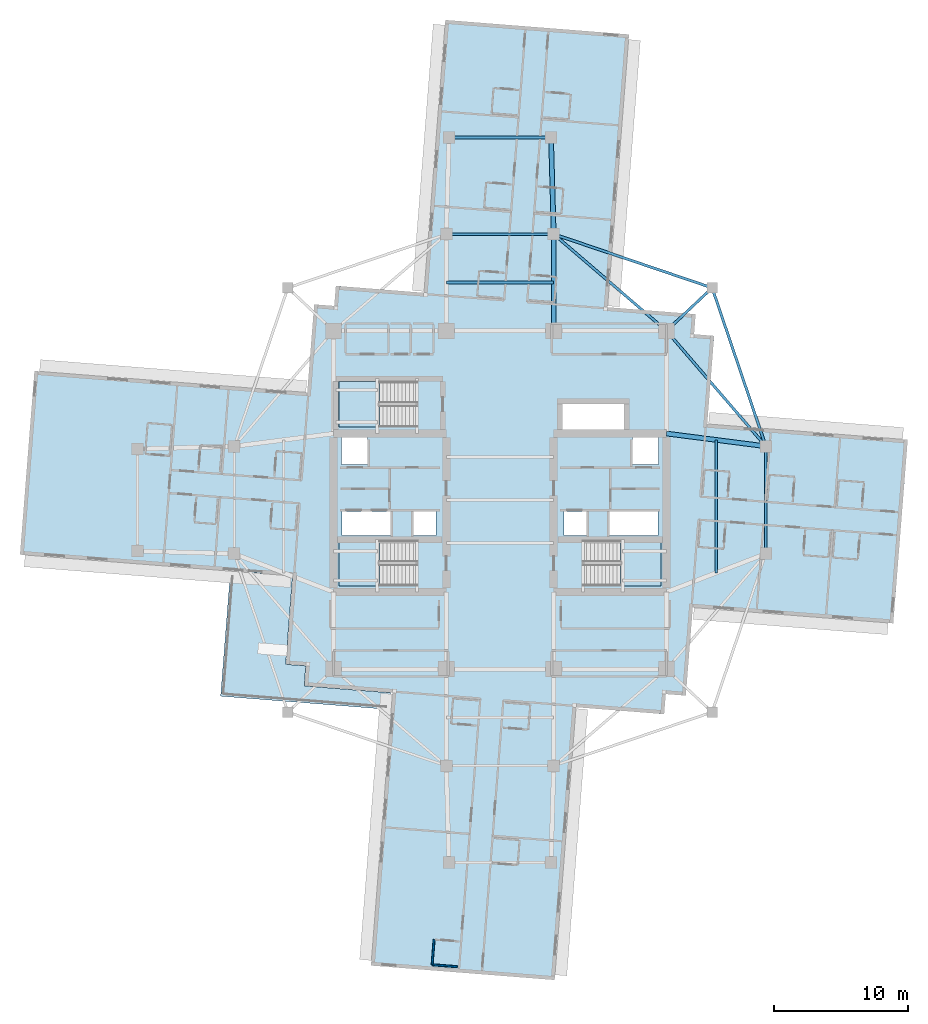
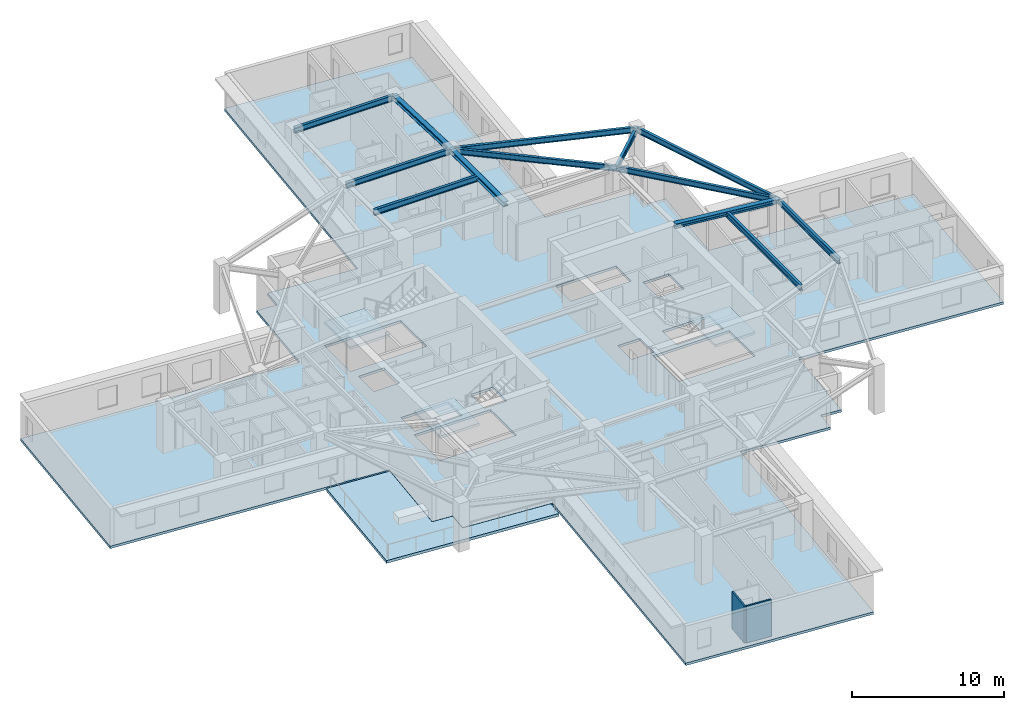
# One storey, part 2 of 14: 13 beams, 5 slabs, 2 walls, 3 elements without a shape of their own.
"""IFC4 building model written with IfcOpenShell, lengths in metres."""

from ifc_helpers import new_model, si_unit, direction, frame, frame_2d, origin, origin_2d, place, context, subcontext, project, spatial, polyline, rectangle, i_section, outline, extrude, material, layer, layer_set, material_profile, profile_set, type_object, element, aggregate, save


model = new_model("IFC4")

# Units and contexts
model_context = context("Model", 3, precision=1e-05, world=origin(), true_north=direction((0.0, 1.0)))
body_context = subcontext(model_context, "Body", "Model", "MODEL_VIEW")
ifc_project = project(units=[si_unit("LENGTHUNIT", "METRE"), si_unit("AREAUNIT", "SQUARE_METRE"), si_unit("VOLUMEUNIT", "CUBIC_METRE"), si_unit("PLANEANGLEUNIT", "RADIAN"), si_unit("MASSUNIT", "GRAM", prefix="KILO")], contexts=[model_context])

# Site, building, storey
site_placement = place(None, origin())
site = spatial("IfcSite", under=ifc_project, at=site_placement, CompositionType="ELEMENT")
building_placement = place(site_placement, origin())
building = spatial("IfcBuilding", under=site, at=building_placement, Name="Qingluan Cross Belvedere", CompositionType="ELEMENT")
storey_placement = place(building_placement, frame((0.0, 0.0, 164.39990234375)))
storey = spatial("IfcBuildingStorey", under=building, at=storey_placement, Name="L41", CompositionType="ELEMENT", Elevation=164.39990234375)

# Beams
ifc_material_1 = material(Name="Steel Q420GJB", Category="steel")
ifc_material_profile_1 = material_profile(ifc_material_1, i_section(OverallWidth=0.199951171875, OverallDepth=0.449951171875, WebThickness=0.009033203125, FlangeThickness=0.013916015625, FilletRadius=0.01611328125, at=origin_2d()), Name="HN450x200x9x14")
ifc_profile_set_1 = profile_set([ifc_material_profile_1], Name="Steel Q420GJB")
beam_type_1 = type_object("IfcBeamType", Name="Steel_Beam_HN450x200x9x14", PredefinedType="JOIST", material=ifc_profile_set_1)
beam_1_placement = place(storey_placement, frame((12.39990234375, 12.60009765625, 3.47509765625), z_axis=(0.728219948308, 0.685343495546, 0.0), x_axis=(-0.685343495546, 0.728219948308, 0.0)))
element("IfcBeam", 1, at=beam_1_placement, inside=storey, type_object=beam_type_1, Name="Corner beam 1 L41-RNE", PredefinedType="JOIST", context=body_context, shape_type="SweptSolid", body=[
    extrude(i_section(OverallWidth=0.199951171875, OverallDepth=0.449951171875, WebThickness=0.009033203125, FlangeThickness=0.013916015625, FilletRadius=0.01611328125, at=origin_2d()), origin(), (0.0, 0.0, 1.0), 4.669189453125),
])
for number, where, z_axis, x_axis, name in (
    (2, (15.800048828125, 15.800048828125, 3.47509765625), (-0.947066283324, 0.321038089628, 0.0), (-0.321038089628, -0.947066283324, 0.0), "Corner beam 2 L41-RNE"),
    (3, (15.800048828125, 15.800048828125, 3.47509765625), (0.321038089628, -0.947066283324, 0.0), (0.947066283324, 0.321038089628, 0.0), "Corner beam 3 L41-RNE"),
):
    element("IfcBeam", number, at=place(storey_placement, frame(where, z_axis=z_axis, x_axis=x_axis)), inside=storey, type_object=beam_type_1, Name=name, PredefinedType="JOIST", context=body_context, shape_type="SweptSolid", body=[
        extrude(i_section(OverallWidth=0.199951171875, OverallDepth=0.449951171875, WebThickness=0.009033203125, FlangeThickness=0.013916015625, FilletRadius=0.01611328125, at=origin_2d()), origin(), (0.0, 0.0, 1.0), 12.45947265625),
    ])
beam_2_placement = place(storey_placement, frame((12.39990234375, 12.60009765625, 3.47509765625), z_axis=(0.652245077546, -0.75800815221, 0.0), x_axis=(0.75800815221, 0.652245077546, 0.0)))
element("IfcBeam", 4, at=beam_2_placement, inside=storey, type_object=beam_type_1, Name="Corner beam 4 L41-RNE", PredefinedType="JOIST", context=body_context, shape_type="SweptSolid", body=[
    extrude(i_section(OverallWidth=0.199951171875, OverallDepth=0.449951171875, WebThickness=0.009033203125, FlangeThickness=0.013916015625, FilletRadius=0.01611328125, at=origin_2d()), origin(), (0.0, 0.0, 1.0), 11.345703125),
])
beam_3_placement = place(storey_placement, frame((12.39990234375, 12.60009765625, 3.47509765625), z_axis=(-0.759255044656, 0.650793190779, 0.0), x_axis=(-0.650793190779, -0.759255044656, 0.0)))
element("IfcBeam", 5, at=beam_3_placement, inside=storey, type_object=beam_type_1, Name="Corner beam 5 L41-RNE", PredefinedType="JOIST", context=body_context, shape_type="SweptSolid", body=[
    extrude(i_section(OverallWidth=0.199951171875, OverallDepth=0.449951171875, WebThickness=0.009033203125, FlangeThickness=0.013916015625, FilletRadius=0.01611328125, at=origin_2d()), origin(), (0.0, 0.0, 1.0), 11.063232421875),
])
beam_4_placement = place(storey_placement, frame((19.800048828125, -4.0, 3.47509765625), z_axis=(0.0, 1.0, 0.0), x_axis=(-1.0, 0.0, 0.0)))
element("IfcBeam", 6, at=beam_4_placement, inside=storey, type_object=beam_type_1, Name="Arm E tie L41", PredefinedType="JOIST", context=body_context, shape_type="SweptSolid", body=[
    extrude(i_section(OverallWidth=0.199951171875, OverallDepth=0.449951171875, WebThickness=0.009033203125, FlangeThickness=0.013916015625, FilletRadius=0.01611328125, at=origin_2d()), origin(), (0.0, 0.0, 1.0), 8.0),
])
beam_5_placement = place(storey_placement, frame((16.10009765625, -5.425048828125, 3.47509765625), z_axis=(0.0, 1.0, 0.0), x_axis=(-1.0, 0.0, 0.0)))
element("IfcBeam", 7, at=beam_5_placement, inside=storey, type_object=beam_type_1, Name="Arm E beam L41", PredefinedType="JOIST", context=body_context, shape_type="SweptSolid", body=[
    extrude(i_section(OverallWidth=0.199951171875, OverallDepth=0.449951171875, WebThickness=0.009033203125, FlangeThickness=0.013916015625, FilletRadius=0.01611328125, at=origin_2d()), origin(), (0.0, 0.0, 1.0), 9.900146484375),
])
for number, where, z_axis, x_axis, name in (
    (8, (-4.0, 19.800048828125, 3.47509765625), (1.0, 0.0, 0.0), (0.0, 1.0, 0.0), "Arm N tie L41"),
    (9, (-4.0, 16.199951171875, 3.47509765625), (1.0, 0.0, 0.0), (0.0, 1.0, 0.0), "Arm N beam L41"),
):
    element("IfcBeam", number, at=place(storey_placement, frame(where, z_axis=z_axis, x_axis=x_axis)), inside=storey, type_object=beam_type_1, Name=name, PredefinedType="JOIST", context=body_context, shape_type="SweptSolid", body=[
        extrude(i_section(OverallWidth=0.199951171875, OverallDepth=0.449951171875, WebThickness=0.009033203125, FlangeThickness=0.013916015625, FilletRadius=0.01611328125, at=origin_2d()), origin(), (0.0, 0.0, 1.0), 8.0),
    ])
beam_6_placement = place(storey_placement, frame((-3.800048828125, 27.0, 3.47509765625), z_axis=(1.0, 0.0, 0.0), x_axis=(0.0, 1.0, 0.0)))
element("IfcBeam", 10, at=beam_6_placement, inside=storey, type_object=beam_type_1, Name="Arm N tip transverse beam L41", PredefinedType="JOIST", context=body_context, shape_type="SweptSolid", body=[
    extrude(i_section(OverallWidth=0.199951171875, OverallDepth=0.449951171875, WebThickness=0.009033203125, FlangeThickness=0.013916015625, FilletRadius=0.01611328125, at=origin_2d()), origin(), (0.0, 0.0, 1.0), 7.60009765625),
])
ifc_material_2 = material(Name="Steel Q420GJB", Category="steel")
ifc_material_profile_2 = material_profile(ifc_material_2, i_section(OverallWidth=0.35009765625, OverallDepth=0.35009765625, WebThickness=0.011962890625, FlangeThickness=0.01904296875, FilletRadius=0.02001953125, at=origin_2d()), Name="HW350x350x12x19")
ifc_profile_set_2 = profile_set([ifc_material_profile_2], Name="Steel Q420GJB")
beam_type_2 = type_object("IfcBeamType", Name="Steel_Girder_HW350x350x12x19", PredefinedType="USERDEFINED", material=ifc_profile_set_2)
beam_7_placement = place(storey_placement, frame((12.39990234375, 4.949951171875, 3.525146484375), z_axis=(0.991861120628, -0.12732445714, 0.0), x_axis=(0.12732445714, 0.991861120628, 0.0)))
element("IfcBeam", 11, at=beam_7_placement, inside=storey, type_object=beam_type_2, Name="Arm E radial girder B L41", ObjectType="GIRDER", PredefinedType="USERDEFINED", context=body_context, shape_type="SweptSolid", body=[
    extrude(i_section(OverallWidth=0.35009765625, OverallDepth=0.35009765625, WebThickness=0.011962890625, FlangeThickness=0.01904296875, FilletRadius=0.02001953125, at=origin_2d()), origin(), (0.0, 0.0, 1.0), 7.4609375),
])
beam_8_placement = place(storey_placement, frame((4.0, 12.60009765625, 3.525146484375), z_axis=(0.0, 1.0, 0.0), x_axis=(-1.0, 0.0, 0.0)))
element("IfcBeam", 12, at=beam_8_placement, inside=storey, type_object=beam_type_2, Name="Arm N radial girder B L41", ObjectType="GIRDER", PredefinedType="USERDEFINED", context=body_context, shape_type="SweptSolid", body=[
    extrude(i_section(OverallWidth=0.35009765625, OverallDepth=0.35009765625, WebThickness=0.011962890625, FlangeThickness=0.01904296875, FilletRadius=0.02001953125, at=origin_2d()), origin(), (0.0, 0.0, 1.0), 7.199951171875),
])
beam_9_placement = place(storey_placement, frame((4.0, 19.800048828125, 3.525146484375), z_axis=(-0.027760481514, 0.999614603568, 0.0), x_axis=(-0.999614603568, -0.027760481514, 0.0)))
element("IfcBeam", 13, at=beam_9_placement, inside=storey, type_object=beam_type_2, Name="Arm N outer radial girder B L41", ObjectType="GIRDER", PredefinedType="USERDEFINED", context=body_context, shape_type="SweptSolid", body=[
    extrude(i_section(OverallWidth=0.35009765625, OverallDepth=0.35009765625, WebThickness=0.011962890625, FlangeThickness=0.01904296875, FilletRadius=0.02001953125, at=origin_2d()), origin(), (0.0, 0.0, 1.0), 7.20263671875),
])

# Slab
ifc_material_3 = material(Name="Concrete C40", Category="concrete")
ifc_layer_1 = layer(ifc_material_3, 0.199951171875, Name="FloorSlab_200")
ifc_layer_set_1 = layer_set([ifc_layer_1], Name="Concrete C40")
slab_type_1 = type_object("IfcSlabType", Name="FloorSlab_200", PredefinedType="FLOOR", material=ifc_layer_set_1)
slab_1_placement = place(storey_placement, frame((0.0, 0.0, -0.199951171875)))
element("IfcSlab", 14, at=slab_1_placement, inside=storey, type_object=slab_type_1, Name="Structural floor slab L41", PredefinedType="FLOOR", context=body_context, shape_type="SweptSolid", body=[
    extrude(outline(polyline([(4.067626953125, -35.749267578125), (5.666748046875, -15.43212890625), (12.226318359375, -15.948486328125), (12.343994140625, -14.453125), (13.839599609375, -14.57080078125), (14.355712890625, -8.010986328125), (29.28955078125, -9.186279296875), (30.365966796875, 4.491455078125), (15.43212890625, 5.666748046875), (15.948486328125, 12.226318359375), (14.453125, 12.343994140625), (14.57080078125, 13.839599609375), (8.010986328125, 14.355712890625), (9.610107421875, 34.6728515625), (-4.067626953125, 35.749267578125), (-5.666748046875, 15.43212890625), (-12.226318359375, 15.948486328125), (-12.343994140625, 14.453125), (-13.839599609375, 14.57080078125), (-14.355712890625, 8.010986328125), (-34.6728515625, 9.610107421875), (-35.749267578125, -4.067626953125), (-15.43212890625, -5.666748046875), (-15.948486328125, -12.226318359375), (-14.453125, -12.343994140625), (-14.57080078125, -13.839599609375), (-8.010986328125, -14.355712890625), (-9.610107421875, -34.6728515625), (4.067626953125, -35.749267578125)]), holes=[polyline([(-12.0, -3.0), (-6.179931640625, -3.0), (-6.179931640625, -6.39990234375), (-12.0, -6.39990234375), (-12.0, -3.0)]), polyline([(6.179931640625, -3.0), (12.0, -3.0), (12.0, -6.39990234375), (6.179931640625, -6.39990234375), (6.179931640625, -3.0)]), polyline([(-12.0, 8.820068359375), (-6.179931640625, 8.820068359375), (-6.179931640625, 5.419921875), (-12.0, 5.419921875), (-12.0, 8.820068359375)]), polyline([(-11.800048828125, 4.64990234375), (-9.85009765625, 4.64990234375), (-9.85009765625, 2.64990234375), (-11.800048828125, 2.64990234375), (-11.800048828125, 4.64990234375)]), polyline([(9.85009765625, 4.64990234375), (11.800048828125, 4.64990234375), (11.800048828125, 2.64990234375), (9.85009765625, 2.64990234375), (9.85009765625, 4.64990234375)]), polyline([(-11.75, -0.840087890625), (-8.14990234375, -0.840087890625), (-8.14990234375, -2.659912109375), (-11.75, -2.659912109375), (-11.75, -0.840087890625)]), polyline([(-6.449951171875, -0.840087890625), (-4.75, -0.840087890625), (-4.75, -2.659912109375), (-6.449951171875, -2.659912109375), (-6.449951171875, -0.840087890625)]), polyline([(4.75, -0.840087890625), (6.449951171875, -0.840087890625), (6.449951171875, -2.659912109375), (4.75, -2.659912109375), (4.75, -0.840087890625)]), polyline([(8.14990234375, -0.840087890625), (11.75, -0.840087890625), (11.75, -2.659912109375), (8.14990234375, -2.659912109375), (8.14990234375, -0.840087890625)]), polyline([(4.64990234375, 7.14990234375), (9.25, 7.14990234375), (9.25, 5.14990234375), (4.64990234375, 5.14990234375), (4.64990234375, 7.14990234375)])]), origin(), (0.0, 0.0, 1.0), 0.199951171875),
])

# Stair, slab
ifc_material_4 = material(Name="Concrete C40", Category="concrete")
stair_type = type_object("IfcStairType", Name="CoreDoglegStair_1620", PredefinedType="HALF_TURN_STAIR", material=ifc_material_4)
stair_1_placement = place(storey_placement, origin())
stair_1 = element("IfcStair", 15, at=stair_1_placement, inside=storey, type_object=stair_type, Name="L41 ST1", PredefinedType="HALF_TURN_STAIR")
ifc_material_5 = material(Name="Concrete C40", Category="concrete")
ifc_layer_2 = layer(ifc_material_5, 0.179931640625, Name="StairLandingSlab_180")
ifc_layer_set_2 = layer_set([ifc_layer_2], Name="Concrete C40")
slab_type_2 = type_object("IfcSlabType", Name="StairLandingSlab_180", PredefinedType="LANDING", material=ifc_layer_set_2)
slab_2_placement = place(storey_placement, frame((0.0, 0.0, 1.75)))
slab_2 = element("IfcSlab", 16, at=slab_2_placement, type_object=slab_type_2, Name="ST1 landing 1", PredefinedType="LANDING", context=body_context, shape_type="SweptSolid", body=[
    extrude(outline(polyline([(-8.97998046875, -3.0), (-12.0, -3.0), (-12.0, -6.39990234375), (-8.97998046875, -6.39990234375), (-8.97998046875, -3.0)])), origin(), (0.0, 0.0, 1.0), 0.2001953125),
])
aggregate(stair_1, [slab_2])

stair_2_placement = place(storey_placement, origin())
stair_2 = element("IfcStair", 17, at=stair_2_placement, inside=storey, type_object=stair_type, Name="L41 ST2", PredefinedType="HALF_TURN_STAIR")
slab_3_placement = place(storey_placement, frame((0.0, 0.0, 1.75)))
slab_3 = element("IfcSlab", 18, at=slab_3_placement, type_object=slab_type_2, Name="ST2 landing 1", PredefinedType="LANDING", context=body_context, shape_type="SweptSolid", body=[
    extrude(outline(polyline([(8.97998046875, -6.39990234375), (12.0, -6.39990234375), (12.0, -3.0), (8.97998046875, -3.0), (8.97998046875, -6.39990234375)])), origin(), (0.0, 0.0, 1.0), 0.2001953125),
])
aggregate(stair_2, [slab_3])

stair_3_placement = place(storey_placement, origin())
stair_3 = element("IfcStair", 19, at=stair_3_placement, inside=storey, type_object=stair_type, Name="L41 ST3", PredefinedType="HALF_TURN_STAIR")
slab_4_placement = place(storey_placement, frame((0.0, 0.0, 1.75)))
slab_4 = element("IfcSlab", 20, at=slab_4_placement, type_object=slab_type_2, Name="ST3 landing 1", PredefinedType="LANDING", context=body_context, shape_type="SweptSolid", body=[
    extrude(outline(polyline([(-8.97998046875, 8.820068359375), (-12.0, 8.820068359375), (-12.0, 5.419921875), (-8.97998046875, 5.419921875), (-8.97998046875, 8.820068359375)])), origin(), (0.0, 0.0, 1.0), 0.2001953125),
])
aggregate(stair_3, [slab_4])

# Slab
ifc_material_6 = material(Name="Concrete C40", Category="concrete")
ifc_layer_3 = layer(ifc_material_6, 0.219970703125, Name="TerraceSlab_220")
ifc_layer_set_3 = layer_set([ifc_layer_3], Name="Concrete C40")
slab_type_3 = type_object("IfcSlabType", Name="TerraceSlab_220", PredefinedType="FLOOR", material=ifc_layer_set_3)
slab_5_placement = place(storey_placement, frame((0.0, 0.0, -0.219970703125)))
element("IfcSlab", 21, at=slab_5_placement, inside=storey, type_object=slab_type_3, Name="Spiralling winter-garden terrace slab L41", PredefinedType="FLOOR", context=body_context, shape_type="SweptSolid", body=[
    extrude(outline(polyline([(-8.1513671875, -14.354736328125), (-14.576904296875, -13.847412109375), (-14.4638671875, -12.353271484375), (-15.94921875, -12.236328125), (-15.95849609375, -12.2275390625), (-15.453125, -5.805419921875), (-20.0888671875, -5.440673828125), (-20.810546875, -14.6123046875), (-8.24951171875, -15.600830078125), (-8.1513671875, -14.354736328125)])), origin(), (0.0, 0.0, 1.0), 0.219970703125),
])

# Walls
ifc_material_7 = material(Name="Moisture-resistant gypsum board lining")
ifc_layer_4 = layer(ifc_material_7, 0.1201171875, Name="EnsuiteWetPartition_120")
ifc_layer_set_4 = layer_set([ifc_layer_4], Name="Moisture-resistant gypsum board lining")
wall_type = type_object("IfcWallType", Name="EnsuiteWetPartition_120", PredefinedType="PARTITIONING", material=ifc_layer_set_4)
wall_1_placement = place(storey_placement, frame((-4.9912109375, -34.614990234375, 0.0), z_axis=(0.0, 0.0, 1.0), x_axis=(0.996915574626, -0.078481444107, 0.0)))
element("IfcWall", 22, at=wall_1_placement, inside=storey, type_object=wall_type, Name="Partition L41:S:bw1_1", PredefinedType="PARTITIONING", context=body_context, shape_type="SweptSolid", body=[
    extrude(rectangle(XDim=1.81982421875, YDim=0.1201171875, at=frame_2d((0.909912109375, 0.0))), origin(), (0.0, 0.0, 1.0), 2.960205078125),
])
wall_2_placement = place(storey_placement, frame((-4.90869140625, -32.73583984375, 0.0), z_axis=(0.0, 0.0, 1.0), x_axis=(-0.07843418698, -0.996919293781, 0.0)))
element("IfcWall", 23, at=wall_2_placement, inside=storey, type_object=wall_type, Name="Partition L41:S:bc1_1", PredefinedType="PARTITIONING", context=body_context, shape_type="SweptSolid", body=[
    extrude(rectangle(XDim=1.880126953125, YDim=0.1201171875, at=frame_2d((0.93994140625, 0.0))), origin(), (0.0, 0.0, 1.0), 2.960205078125),
])

save(model, "model.ifc")
